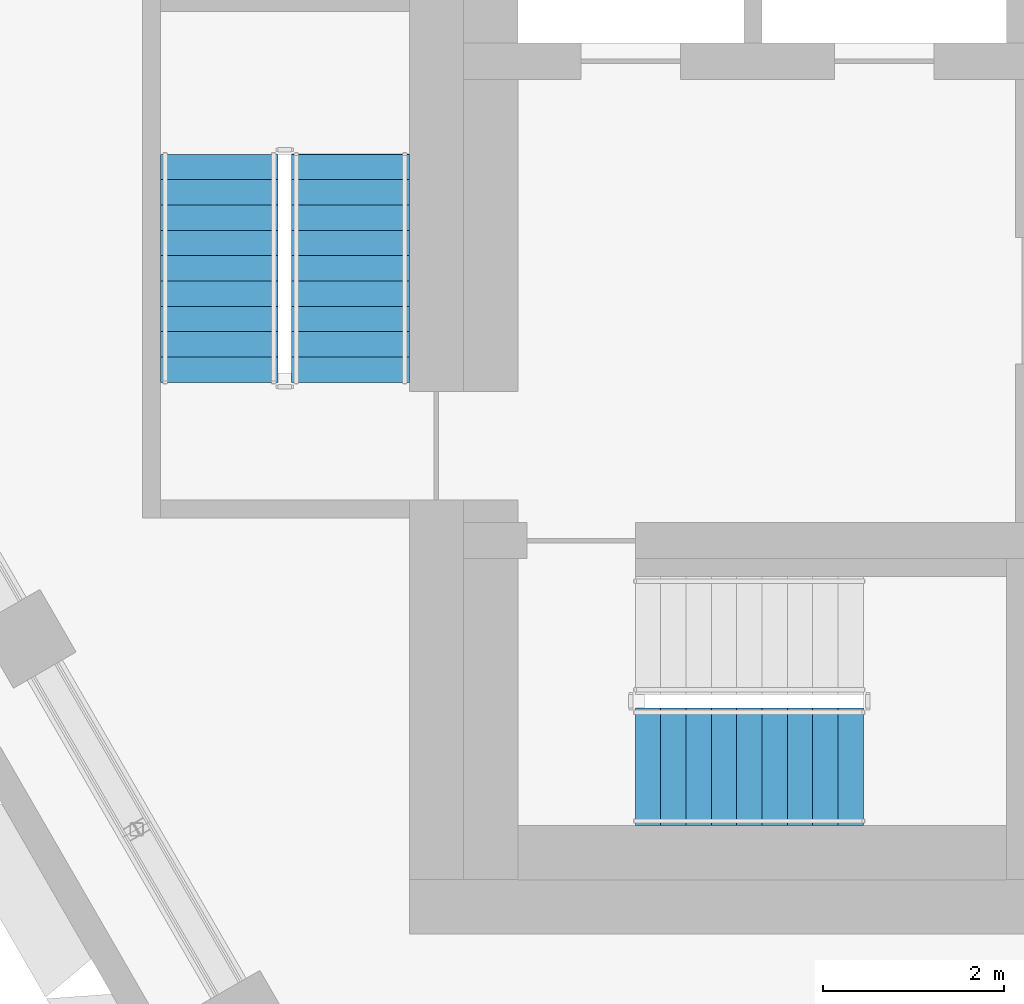
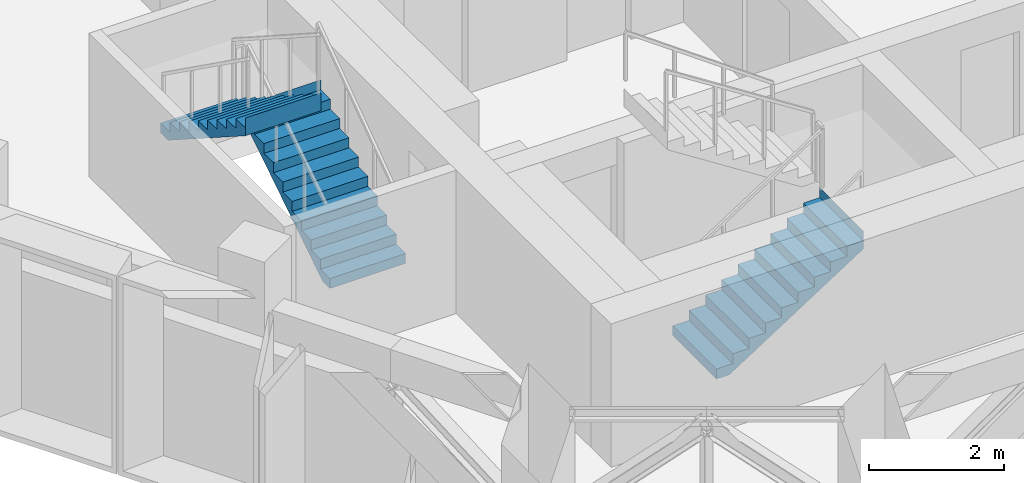
# One storey, part 17 of 24: 3 stair flights, 2 elements without a shape of their own.
"""IFC4 building model written with IfcOpenShell, lengths in metres."""

import ifcopenshell
import ifcopenshell.guid

model = None  # the IFC model being written
_history = None  # IfcOwnerHistory: only IFC2X3 demands one
_inside = {}  # id of a spatial element -> (the spatial element, [elements in it])
_under = {}  # id of a project, library or spatial element -> (it, [spatial elements below it])
_declared = {}  # id of a project -> (the project, [libraries it declares])
_typed = {}  # id of a type object -> (the type object, [elements of that type])
_made_of = {}  # id of a material, layer set ... -> (it, [elements and type objects made of it])


def new_model(schema):
    """Start an empty IFC model of exactly this schema.

    Asked for "IFC4X3", IfcOpenShell would pick the latest addendum, in which some entities
    have other attributes; the version numbers below select the first issue.
    IFC2X3 requires an IfcOwnerHistory on every rooted entity: one is made here for all.
    """
    global model, _history
    if schema == "IFC4X3":
        model = ifcopenshell.file(schema_version=(4, 3, 0, 0))
    else:
        model = ifcopenshell.file(schema=schema)
    _inside.clear()
    _under.clear()
    _declared.clear()
    _typed.clear()
    _made_of.clear()
    _history = None
    if model.schema == "IFC2X3":
        org = make("IfcOrganization", Name="unknown")
        user = make(
            "IfcPersonAndOrganization",
            ThePerson=make("IfcPerson", FamilyName="unknown"),
            TheOrganization=org,
        )
        app = make(
            "IfcApplication",
            ApplicationDeveloper=org,
            Version="unknown",
            ApplicationFullName="unknown",
            ApplicationIdentifier="unknown",
        )
        _history = make(
            "IfcOwnerHistory",
            OwningUser=user,
            OwningApplication=app,
            ChangeAction="ADDED",
            CreationDate=0,
        )
    return model


def make(cls, **values):
    """One entity of the class cls with the attributes given. An attribute that is None is left unset."""
    return model.create_entity(
        cls, **{name: value for name, value in values.items() if value is not None}
    )


def rooted(cls, **values):
    """An entity with a GlobalId (a new one), such as an element, a storey or a relation."""
    return make(cls, GlobalId=ifcopenshell.guid.new(), OwnerHistory=_history, **values)


def si_unit(unit_type, name, prefix=None):
    """IfcSIUnit, for example si_unit("LENGTHUNIT", "METRE", prefix="MILLI")."""
    return make("IfcSIUnit", UnitType=unit_type, Prefix=prefix, Name=name)


def assignment(units):
    """IfcUnitAssignment: the units of a project."""
    return None if units is None else make("IfcUnitAssignment", Units=units)


def point(xyz):
    """IfcCartesianPoint."""
    return None if xyz is None else make("IfcCartesianPoint", Coordinates=xyz)


def direction(xyz):
    """IfcDirection."""
    return None if xyz is None else make("IfcDirection", DirectionRatios=xyz)


def frame(location, z_axis=None, x_axis=None):
    """IfcAxis2Placement3D, a coordinate frame: its origin and axes. An axis left out is left unset."""
    return make(
        "IfcAxis2Placement3D",
        Location=point(location),
        Axis=direction(z_axis),
        RefDirection=direction(x_axis),
    )


def origin():
    """The frame at (0, 0, 0) with its axes left unset."""
    return frame((0.0, 0.0, 0.0))


def place(relative_to, where):
    """IfcLocalPlacement: puts the frame where relative to a parent placement (None: the world)."""
    return make(
        "IfcLocalPlacement", PlacementRelTo=relative_to, RelativePlacement=where
    )


def context(
    kind, dimensions, precision=None, world=None, true_north=None, identifier=None
):
    """IfcGeometricRepresentationContext, for example the 3D "Model" context."""
    return make(
        "IfcGeometricRepresentationContext",
        ContextIdentifier=identifier,
        ContextType=kind,
        CoordinateSpaceDimension=dimensions,
        Precision=precision,
        WorldCoordinateSystem=world,
        TrueNorth=true_north,
    )


def subcontext(parent, identifier, kind, view, scale=None):
    """IfcGeometricRepresentationSubContext, for example "Body" below "Model"."""
    return make(
        "IfcGeometricRepresentationSubContext",
        ContextIdentifier=identifier,
        ContextType=kind,
        ParentContext=parent,
        TargetScale=scale,
        TargetView=view,
    )


def project(units=None, contexts=None):
    """IfcProject with its units and contexts."""
    return rooted(
        "IfcProject",
        Name="project",
        RepresentationContexts=contexts,
        UnitsInContext=assignment(units),
    )


def spatial(cls, under=None, at=None, **own):
    """A site, building, storey or space (cls), placed at a placement, below another one or the project."""
    s = rooted(cls, ObjectPlacement=at, **own)
    if under is not None:
        _under.setdefault(under.id(), (under, []))[1].append(s)
    return s


def point_list(points):
    """IfcCartesianPointList2D or 3D."""
    cls = (
        "IfcCartesianPointList2D" if len(points[0]) == 2 else "IfcCartesianPointList3D"
    )
    return make(cls, CoordList=points)


def triangles(points, corners, closed=None, point_numbers=None):
    """IfcTriangulatedFaceSet: each triangle names its three corners, points numbered from 1."""
    return make(
        "IfcTriangulatedFaceSet",
        Coordinates=point_list(points),
        Closed=closed,
        CoordIndex=corners,
        PnIndex=point_numbers,
    )


def shape(context_of_items, identifier, shape_type, items):
    """IfcShapeRepresentation: the items that make up one representation, for example the "Body"."""
    return make(
        "IfcShapeRepresentation",
        ContextOfItems=context_of_items,
        RepresentationIdentifier=identifier,
        RepresentationType=shape_type,
        Items=items,
    )


def material(Name=None, Category=None):
    """IfcMaterial."""
    return make("IfcMaterial", Name=Name, Category=Category)


def made_of(thing, what):
    """Note that an element or type object is made of a material, layer set ...; save() writes the relation."""
    if what is not None:
        _made_of.setdefault(what.id(), (what, []))[1].append(thing)
    return thing


def type_object(cls, material=None, **own):
    """A type object (cls), such as IfcWallType, which elements share."""
    return made_of(rooted(cls, **own), material)


def element(
    cls,
    number,
    at=None,
    inside=None,
    cuts=None,
    type_object=None,
    material=None,
    context=None,
    identifier="Body",
    shape_type=None,
    held_by="IfcProductDefinitionShape",
    body=None,
    shapes=None,
    **own,
):
    """One element of the class cls, such as IfcWall. Its Tag is "e" and its number.

    at: its placement. inside: the storey or other place that contains it. cuts: it is an
    opening in that element (IfcRelVoidsElement). A single representation is given by context,
    identifier, shape_type and body (its items); several are given by shapes. held_by: the class
    of the entity that holds the representations. save() writes the other relations.
    """
    e = rooted(cls, Tag="e%d" % number, ObjectPlacement=at, **own)
    if body is not None:
        shapes = [shape(context, identifier, shape_type, body)]
    if shapes is not None:
        e.Representation = make(held_by, Representations=shapes)
    if inside is not None:
        _inside.setdefault(inside.id(), (inside, []))[1].append(e)
    if cuts is not None:
        rooted(
            "IfcRelVoidsElement", RelatingBuildingElement=cuts, RelatedOpeningElement=e
        )
    if type_object is not None:
        _typed.setdefault(type_object.id(), (type_object, []))[1].append(e)
    return made_of(e, material)


def aggregate(whole, parts):
    """IfcRelAggregates: a whole, such as a stair, and the parts it consists of."""
    return rooted("IfcRelAggregates", RelatingObject=whole, RelatedObjects=parts)


def save(model, path):
    """Write the relations noted so far, then the file.

    IfcRelAggregates (storeys below a building ...), IfcRelContainedInSpatialStructure (elements
    in a storey), IfcRelDefinesByType, IfcRelAssociatesMaterial and IfcRelDeclares: one each for
    every whole, place, type object, material and project.
    """
    for whole, parts in _under.values():
        aggregate(whole, parts)
    for where, things in _inside.values():
        rooted(
            "IfcRelContainedInSpatialStructure",
            RelatedElements=things,
            RelatingStructure=where,
        )
    for kind, things in _typed.values():
        rooted("IfcRelDefinesByType", RelatedObjects=things, RelatingType=kind)
    for what, things in _made_of.values():
        rooted("IfcRelAssociatesMaterial", RelatedObjects=things, RelatingMaterial=what)
    for by, libraries in _declared.values():
        rooted("IfcRelDeclares", RelatingContext=by, RelatedDefinitions=libraries)
    model.write(path)


model = new_model("IFC4")

# Units and contexts
model_context = context("Model", 3, precision=1e-05, world=origin(), true_north=direction((0.0, 1.0)))
body_context = subcontext(model_context, "Body", "Model", "MODEL_VIEW")
ifc_project = project(units=[si_unit("LENGTHUNIT", "METRE"), si_unit("AREAUNIT", "SQUARE_METRE"), si_unit("VOLUMEUNIT", "CUBIC_METRE"), si_unit("PLANEANGLEUNIT", "RADIAN"), si_unit("MASSUNIT", "GRAM", prefix="KILO")], contexts=[model_context])

# Site, building, storey
site_placement = place(None, origin())
site = spatial("IfcSite", under=ifc_project, at=site_placement, CompositionType="ELEMENT")
building_placement = place(site_placement, origin())
building = spatial("IfcBuilding", under=site, at=building_placement, Name="Beryl Residences", CompositionType="ELEMENT")
storey_placement = place(building_placement, frame((0.0, 0.0, 199.199951171875)))
storey = spatial("IfcBuildingStorey", under=building, at=storey_placement, Name="L61", CompositionType="ELEMENT", Elevation=199.199951171875)

# Stair, stair flight
ifc_material_1 = material(Name="Concrete C40/50", Category="concrete")
stair_type = type_object("IfcStairType", Name="ST1 protected exit stair, half-turn, 1300 mm flights", PredefinedType="HALF_TURN_STAIR", material=ifc_material_1)
stair_1_placement = place(storey_placement, origin())
stair_1 = element("IfcStair", 1, at=stair_1_placement, inside=storey, type_object=stair_type, Name="L61 PROTECTED EXIT STAIR ST-1", PredefinedType="HALF_TURN_STAIR")
ifc_material_2 = material(Name="Concrete C40/50", Category="concrete")
stair_flight_type = type_object("IfcStairFlightType", Name="SF1 stair flight 1300 mm", PredefinedType="STRAIGHT", material=ifc_material_2)
stair_flight_1_placement = place(storey_placement, frame((-10.800048828125, -17.14990234375, 0.0), z_axis=(0.0, 0.0, 1.0), x_axis=(1.0, 0.0, 0.0)))
stair_flight_1 = element("IfcStairFlight", 2, at=stair_flight_1_placement, type_object=stair_flight_type, Name="ST-1 flight 1", NumberOfRisers=10, NumberOfTreads=9, PredefinedType="STRAIGHT", RiserHeight=0.18, TreadLength=0.28, context=body_context, shape_type="Tessellation", body=[
    triangles([(0.0, -0.64990234375, 0.0), (0.0, -0.324951171875, 0.0), (0.0, 0.0, 0.0), (0.0, 0.324951171875, 0.0), (0.0, 0.64990234375, 0.0), (0.0, -0.64990234375, 0.179931640625), (0.0, -0.324951171875, 0.179931640625), (0.0, 0.0, 0.179931640625), (0.0, 0.324951171875, 0.179931640625), (0.0, 0.64990234375, 0.179931640625), (0.280029296875, -0.64990234375, 0.179931640625), (0.280029296875, -0.324951171875, 0.179931640625), (0.280029296875, 0.0, 0.179931640625), (0.280029296875, 0.324951171875, 0.179931640625), (0.280029296875, 0.64990234375, 0.179931640625), (0.280029296875, -0.64990234375, 0.360107421875), (0.280029296875, -0.324951171875, 0.360107421875), (0.280029296875, 0.0, 0.360107421875), (0.280029296875, 0.324951171875, 0.360107421875), (0.280029296875, 0.64990234375, 0.360107421875), (0.56005859375, -0.64990234375, 0.360107421875), (0.56005859375, -0.324951171875, 0.360107421875), (0.56005859375, 0.0, 0.360107421875), (0.56005859375, 0.324951171875, 0.360107421875), (0.56005859375, 0.64990234375, 0.360107421875), (0.56005859375, -0.64990234375, 0.5400390625), (0.56005859375, -0.324951171875, 0.5400390625), (0.56005859375, 0.0, 0.5400390625), (0.56005859375, 0.324951171875, 0.5400390625), (0.56005859375, 0.64990234375, 0.5400390625), (0.840087890625, -0.64990234375, 0.5400390625), (0.840087890625, -0.324951171875, 0.5400390625), (0.840087890625, 0.0, 0.5400390625), (0.840087890625, 0.324951171875, 0.5400390625), (0.840087890625, 0.64990234375, 0.5400390625), (0.840087890625, -0.64990234375, 0.719970703125), (0.840087890625, -0.324951171875, 0.719970703125), (0.840087890625, 0.0, 0.719970703125), (0.840087890625, 0.324951171875, 0.719970703125), (0.840087890625, 0.64990234375, 0.719970703125), (1.1201171875, -0.64990234375, 0.719970703125), (1.1201171875, -0.324951171875, 0.719970703125), (1.1201171875, 0.0, 0.719970703125), (1.1201171875, 0.324951171875, 0.719970703125), (1.1201171875, 0.64990234375, 0.719970703125), (1.1201171875, -0.64990234375, 0.89990234375), (1.1201171875, -0.324951171875, 0.89990234375), (1.1201171875, 0.0, 0.89990234375), (1.1201171875, 0.324951171875, 0.89990234375), (1.1201171875, 0.64990234375, 0.89990234375), (1.39990234375, -0.64990234375, 0.89990234375), (1.39990234375, -0.324951171875, 0.89990234375), (1.39990234375, 0.0, 0.89990234375), (1.39990234375, 0.324951171875, 0.89990234375), (1.39990234375, 0.64990234375, 0.89990234375), (1.39990234375, -0.64990234375, 1.080078125), (1.39990234375, -0.324951171875, 1.080078125), (1.39990234375, 0.0, 1.080078125), (1.39990234375, 0.324951171875, 1.080078125), (1.39990234375, 0.64990234375, 1.080078125), (1.679931640625, -0.64990234375, 1.080078125), (1.679931640625, -0.324951171875, 1.080078125), (1.679931640625, 0.0, 1.080078125), (1.679931640625, 0.324951171875, 1.080078125), (1.679931640625, 0.64990234375, 1.080078125), (1.679931640625, -0.64990234375, 1.260009765625), (1.679931640625, -0.324951171875, 1.260009765625), (1.679931640625, 0.0, 1.260009765625), (1.679931640625, 0.324951171875, 1.260009765625), (1.679931640625, 0.64990234375, 1.260009765625), (1.9599609375, -0.64990234375, 1.260009765625), (1.9599609375, -0.324951171875, 1.260009765625), (1.9599609375, 0.0, 1.260009765625), (1.9599609375, 0.324951171875, 1.260009765625), (1.9599609375, 0.64990234375, 1.260009765625), (1.9599609375, -0.64990234375, 1.43994140625), (1.9599609375, -0.324951171875, 1.43994140625), (1.9599609375, 0.0, 1.43994140625), (1.9599609375, 0.324951171875, 1.43994140625), (1.9599609375, 0.64990234375, 1.43994140625), (2.239990234375, -0.64990234375, 1.43994140625), (2.239990234375, -0.324951171875, 1.43994140625), (2.239990234375, 0.0, 1.43994140625), (2.239990234375, 0.324951171875, 1.43994140625), (2.239990234375, 0.64990234375, 1.43994140625), (2.239990234375, -0.64990234375, 1.6201171875), (2.239990234375, -0.324951171875, 1.6201171875), (2.239990234375, 0.0, 1.6201171875), (2.239990234375, 0.324951171875, 1.6201171875), (2.239990234375, 0.64990234375, 1.6201171875), (2.52001953125, -0.64990234375, 1.6201171875), (2.52001953125, -0.324951171875, 1.6201171875), (2.52001953125, 0.0, 1.6201171875), (2.52001953125, 0.324951171875, 1.6201171875), (2.52001953125, 0.64990234375, 1.6201171875), (2.52001953125, -0.64990234375, 1.800048828125), (2.52001953125, -0.324951171875, 1.800048828125), (2.52001953125, 0.0, 1.800048828125), (2.52001953125, 0.324951171875, 1.800048828125), (2.52001953125, 0.64990234375, 1.800048828125), (2.52099609375, -0.64990234375, 1.800048828125), (2.52099609375, -0.324951171875, 1.800048828125), (2.52099609375, 0.0, 1.800048828125), (2.52099609375, 0.324951171875, 1.800048828125), (2.52099609375, 0.64990234375, 1.800048828125), (2.52099609375, -0.64990234375, 1.477294921875), (2.52099609375, -0.324951171875, 1.477294921875), (2.52099609375, 0.0, 1.477294921875), (2.52099609375, 0.324951171875, 1.477294921875), (2.52099609375, 0.64990234375, 1.477294921875), (0.22314453125, -0.64990234375, 0.0), (0.22314453125, -0.324951171875, 0.0), (0.22314453125, 0.0, 0.0), (0.22314453125, 0.324951171875, 0.0), (0.22314453125, 0.64990234375, 0.0)], [[1, 6, 7], [1, 7, 2], [2, 7, 8], [2, 8, 3], [3, 8, 9], [3, 9, 4], [4, 9, 10], [4, 10, 5], [6, 11, 12], [6, 12, 7], [7, 12, 13], [7, 13, 8], [8, 13, 14], [8, 14, 9], [9, 14, 15], [9, 15, 10], [11, 16, 17], [11, 17, 12], [12, 17, 18], [12, 18, 13], [13, 18, 19], [13, 19, 14], [14, 19, 20], [14, 20, 15], [16, 21, 22], [16, 22, 17], [17, 22, 23], [17, 23, 18], [18, 23, 24], [18, 24, 19], [19, 24, 25], [19, 25, 20], [21, 26, 27], [21, 27, 22], [22, 27, 28], [22, 28, 23], [23, 28, 29], [23, 29, 24], [24, 29, 30], [24, 30, 25], [26, 31, 32], [26, 32, 27], [27, 32, 33], [27, 33, 28], [28, 33, 34], [28, 34, 29], [29, 34, 35], [29, 35, 30], [31, 36, 37], [31, 37, 32], [32, 37, 38], [32, 38, 33], [33, 38, 39], [33, 39, 34], [34, 39, 40], [34, 40, 35], [36, 41, 42], [36, 42, 37], [37, 42, 43], [37, 43, 38], [38, 43, 44], [38, 44, 39], [39, 44, 45], [39, 45, 40], [41, 46, 47], [41, 47, 42], [42, 47, 48], [42, 48, 43], [43, 48, 49], [43, 49, 44], [44, 49, 50], [44, 50, 45], [46, 51, 52], [46, 52, 47], [47, 52, 53], [47, 53, 48], [48, 53, 54], [48, 54, 49], [49, 54, 55], [49, 55, 50], [51, 56, 57], [51, 57, 52], [52, 57, 58], [52, 58, 53], [53, 58, 59], [53, 59, 54], [54, 59, 60], [54, 60, 55], [56, 61, 62], [56, 62, 57], [57, 62, 63], [57, 63, 58], [58, 63, 64], [58, 64, 59], [59, 64, 65], [59, 65, 60], [61, 66, 67], [61, 67, 62], [62, 67, 68], [62, 68, 63], [63, 68, 69], [63, 69, 64], [64, 69, 70], [64, 70, 65], [66, 71, 72], [66, 72, 67], [67, 72, 73], [67, 73, 68], [68, 73, 74], [68, 74, 69], [69, 74, 75], [69, 75, 70], [71, 76, 77], [71, 77, 72], [72, 77, 78], [72, 78, 73], [73, 78, 79], [73, 79, 74], [74, 79, 80], [74, 80, 75], [76, 81, 82], [76, 82, 77], [77, 82, 83], [77, 83, 78], [78, 83, 84], [78, 84, 79], [79, 84, 85], [79, 85, 80], [81, 86, 87], [81, 87, 82], [82, 87, 88], [82, 88, 83], [83, 88, 89], [83, 89, 84], [84, 89, 90], [84, 90, 85], [86, 91, 92], [86, 92, 87], [87, 92, 93], [87, 93, 88], [88, 93, 94], [88, 94, 89], [89, 94, 95], [89, 95, 90], [91, 96, 97], [91, 97, 92], [92, 97, 98], [92, 98, 93], [93, 98, 99], [93, 99, 94], [94, 99, 100], [94, 100, 95], [96, 101, 102], [96, 102, 97], [97, 102, 103], [97, 103, 98], [98, 103, 104], [98, 104, 99], [99, 104, 105], [99, 105, 100], [101, 106, 107], [101, 107, 102], [102, 107, 108], [102, 108, 103], [103, 108, 109], [103, 109, 104], [104, 109, 110], [104, 110, 105], [106, 111, 112], [106, 112, 107], [107, 112, 113], [107, 113, 108], [108, 113, 114], [108, 114, 109], [109, 114, 115], [109, 115, 110], [111, 1, 2], [111, 2, 112], [112, 2, 3], [112, 3, 113], [113, 3, 4], [113, 4, 114], [114, 4, 5], [114, 5, 115], [1, 111, 106], [5, 110, 115], [106, 101, 96], [110, 100, 105], [106, 96, 91], [110, 95, 100], [106, 91, 86], [110, 90, 95], [106, 86, 81], [110, 85, 90], [81, 76, 71], [85, 75, 80], [106, 81, 71], [110, 75, 85], [71, 66, 61], [75, 65, 70], [106, 71, 61], [110, 65, 75], [61, 56, 51], [65, 55, 60], [106, 61, 51], [110, 55, 65], [51, 46, 41], [55, 45, 50], [106, 51, 41], [110, 45, 55], [41, 36, 31], [45, 35, 40], [106, 41, 31], [110, 35, 45], [31, 26, 21], [35, 25, 30], [106, 31, 21], [110, 25, 35], [21, 16, 11], [25, 15, 20], [106, 21, 11], [110, 15, 25], [1, 106, 11], [5, 15, 110], [11, 6, 1], [15, 5, 10]], closed=True),
])
aggregate(stair_1, [stair_flight_1])

# Stair, stair flights
stair_2_placement = place(storey_placement, origin())
stair_2 = element("IfcStair", 3, at=stair_2_placement, inside=storey, type_object=stair_type, Name="L61 PROTECTED EXIT STAIR ST-2", PredefinedType="HALF_TURN_STAIR")
stair_flight_2_placement = place(storey_placement, frame((-13.949951171875, -12.89990234375, 0.0), z_axis=(0.0, 0.0, 1.0), x_axis=(0.0, 1.0, 0.0)))
stair_flight_2 = element("IfcStairFlight", 4, at=stair_flight_2_placement, type_object=stair_flight_type, Name="ST-2 flight 1", NumberOfRisers=10, NumberOfTreads=9, PredefinedType="STRAIGHT", RiserHeight=0.18, TreadLength=0.28, context=body_context, shape_type="Tessellation", body=[
    triangles([(0.0, -0.64990234375, 0.0), (0.0, -0.324951171875, 0.0), (0.0, 0.0, 0.0), (0.0, 0.324951171875, 0.0), (0.0, 0.64990234375, 0.0), (0.0, -0.64990234375, 0.179931640625), (0.0, -0.324951171875, 0.179931640625), (0.0, 0.0, 0.179931640625), (0.0, 0.324951171875, 0.179931640625), (0.0, 0.64990234375, 0.179931640625), (0.280029296875, -0.64990234375, 0.179931640625), (0.280029296875, -0.324951171875, 0.179931640625), (0.280029296875, 0.0, 0.179931640625), (0.280029296875, 0.324951171875, 0.179931640625), (0.280029296875, 0.64990234375, 0.179931640625), (0.280029296875, -0.64990234375, 0.360107421875), (0.280029296875, -0.324951171875, 0.360107421875), (0.280029296875, 0.0, 0.360107421875), (0.280029296875, 0.324951171875, 0.360107421875), (0.280029296875, 0.64990234375, 0.360107421875), (0.56005859375, -0.64990234375, 0.360107421875), (0.56005859375, -0.324951171875, 0.360107421875), (0.56005859375, 0.0, 0.360107421875), (0.56005859375, 0.324951171875, 0.360107421875), (0.56005859375, 0.64990234375, 0.360107421875), (0.56005859375, -0.64990234375, 0.5400390625), (0.56005859375, -0.324951171875, 0.5400390625), (0.56005859375, 0.0, 0.5400390625), (0.56005859375, 0.324951171875, 0.5400390625), (0.56005859375, 0.64990234375, 0.5400390625), (0.840087890625, -0.64990234375, 0.5400390625), (0.840087890625, -0.324951171875, 0.5400390625), (0.840087890625, 0.0, 0.5400390625), (0.840087890625, 0.324951171875, 0.5400390625), (0.840087890625, 0.64990234375, 0.5400390625), (0.840087890625, -0.64990234375, 0.719970703125), (0.840087890625, -0.324951171875, 0.719970703125), (0.840087890625, 0.0, 0.719970703125), (0.840087890625, 0.324951171875, 0.719970703125), (0.840087890625, 0.64990234375, 0.719970703125), (1.1201171875, -0.64990234375, 0.719970703125), (1.1201171875, -0.324951171875, 0.719970703125), (1.1201171875, 0.0, 0.719970703125), (1.1201171875, 0.324951171875, 0.719970703125), (1.1201171875, 0.64990234375, 0.719970703125), (1.1201171875, -0.64990234375, 0.89990234375), (1.1201171875, -0.324951171875, 0.89990234375), (1.1201171875, 0.0, 0.89990234375), (1.1201171875, 0.324951171875, 0.89990234375), (1.1201171875, 0.64990234375, 0.89990234375), (1.39990234375, -0.64990234375, 0.89990234375), (1.39990234375, -0.324951171875, 0.89990234375), (1.39990234375, 0.0, 0.89990234375), (1.39990234375, 0.324951171875, 0.89990234375), (1.39990234375, 0.64990234375, 0.89990234375), (1.39990234375, -0.64990234375, 1.080078125), (1.39990234375, -0.324951171875, 1.080078125), (1.39990234375, 0.0, 1.080078125), (1.39990234375, 0.324951171875, 1.080078125), (1.39990234375, 0.64990234375, 1.080078125), (1.679931640625, -0.64990234375, 1.080078125), (1.679931640625, -0.324951171875, 1.080078125), (1.679931640625, 0.0, 1.080078125), (1.679931640625, 0.324951171875, 1.080078125), (1.679931640625, 0.64990234375, 1.080078125), (1.679931640625, -0.64990234375, 1.260009765625), (1.679931640625, -0.324951171875, 1.260009765625), (1.679931640625, 0.0, 1.260009765625), (1.679931640625, 0.324951171875, 1.260009765625), (1.679931640625, 0.64990234375, 1.260009765625), (1.9599609375, -0.64990234375, 1.260009765625), (1.9599609375, -0.324951171875, 1.260009765625), (1.9599609375, 0.0, 1.260009765625), (1.9599609375, 0.324951171875, 1.260009765625), (1.9599609375, 0.64990234375, 1.260009765625), (1.9599609375, -0.64990234375, 1.43994140625), (1.9599609375, -0.324951171875, 1.43994140625), (1.9599609375, 0.0, 1.43994140625), (1.9599609375, 0.324951171875, 1.43994140625), (1.9599609375, 0.64990234375, 1.43994140625), (2.239990234375, -0.64990234375, 1.43994140625), (2.239990234375, -0.324951171875, 1.43994140625), (2.239990234375, 0.0, 1.43994140625), (2.239990234375, 0.324951171875, 1.43994140625), (2.239990234375, 0.64990234375, 1.43994140625), (2.239990234375, -0.64990234375, 1.6201171875), (2.239990234375, -0.324951171875, 1.6201171875), (2.239990234375, 0.0, 1.6201171875), (2.239990234375, 0.324951171875, 1.6201171875), (2.239990234375, 0.64990234375, 1.6201171875), (2.52001953125, -0.64990234375, 1.6201171875), (2.52001953125, -0.324951171875, 1.6201171875), (2.52001953125, 0.0, 1.6201171875), (2.52001953125, 0.324951171875, 1.6201171875), (2.52001953125, 0.64990234375, 1.6201171875), (2.52001953125, -0.64990234375, 1.800048828125), (2.52001953125, -0.324951171875, 1.800048828125), (2.52001953125, 0.0, 1.800048828125), (2.52001953125, 0.324951171875, 1.800048828125), (2.52001953125, 0.64990234375, 1.800048828125), (2.52099609375, -0.64990234375, 1.800048828125), (2.52099609375, -0.324951171875, 1.800048828125), (2.52099609375, 0.0, 1.800048828125), (2.52099609375, 0.324951171875, 1.800048828125), (2.52099609375, 0.64990234375, 1.800048828125), (2.52099609375, -0.64990234375, 1.477294921875), (2.52099609375, -0.324951171875, 1.477294921875), (2.52099609375, 0.0, 1.477294921875), (2.52099609375, 0.324951171875, 1.477294921875), (2.52099609375, 0.64990234375, 1.477294921875), (0.22314453125, -0.64990234375, 0.0), (0.22314453125, -0.324951171875, 0.0), (0.22314453125, 0.0, 0.0), (0.22314453125, 0.324951171875, 0.0), (0.22314453125, 0.64990234375, 0.0)], [[1, 6, 7], [1, 7, 2], [2, 7, 8], [2, 8, 3], [3, 8, 9], [3, 9, 4], [4, 9, 10], [4, 10, 5], [6, 11, 12], [6, 12, 7], [7, 12, 13], [7, 13, 8], [8, 13, 14], [8, 14, 9], [9, 14, 15], [9, 15, 10], [11, 16, 17], [11, 17, 12], [12, 17, 18], [12, 18, 13], [13, 18, 19], [13, 19, 14], [14, 19, 20], [14, 20, 15], [16, 21, 22], [16, 22, 17], [17, 22, 23], [17, 23, 18], [18, 23, 24], [18, 24, 19], [19, 24, 25], [19, 25, 20], [21, 26, 27], [21, 27, 22], [22, 27, 28], [22, 28, 23], [23, 28, 29], [23, 29, 24], [24, 29, 30], [24, 30, 25], [26, 31, 32], [26, 32, 27], [27, 32, 33], [27, 33, 28], [28, 33, 34], [28, 34, 29], [29, 34, 35], [29, 35, 30], [31, 36, 37], [31, 37, 32], [32, 37, 38], [32, 38, 33], [33, 38, 39], [33, 39, 34], [34, 39, 40], [34, 40, 35], [36, 41, 42], [36, 42, 37], [37, 42, 43], [37, 43, 38], [38, 43, 44], [38, 44, 39], [39, 44, 45], [39, 45, 40], [41, 46, 47], [41, 47, 42], [42, 47, 48], [42, 48, 43], [43, 48, 49], [43, 49, 44], [44, 49, 50], [44, 50, 45], [46, 51, 52], [46, 52, 47], [47, 52, 53], [47, 53, 48], [48, 53, 54], [48, 54, 49], [49, 54, 55], [49, 55, 50], [51, 56, 57], [51, 57, 52], [52, 57, 58], [52, 58, 53], [53, 58, 59], [53, 59, 54], [54, 59, 60], [54, 60, 55], [56, 61, 62], [56, 62, 57], [57, 62, 63], [57, 63, 58], [58, 63, 64], [58, 64, 59], [59, 64, 65], [59, 65, 60], [61, 66, 67], [61, 67, 62], [62, 67, 68], [62, 68, 63], [63, 68, 69], [63, 69, 64], [64, 69, 70], [64, 70, 65], [66, 71, 72], [66, 72, 67], [67, 72, 73], [67, 73, 68], [68, 73, 74], [68, 74, 69], [69, 74, 75], [69, 75, 70], [71, 76, 77], [71, 77, 72], [72, 77, 78], [72, 78, 73], [73, 78, 79], [73, 79, 74], [74, 79, 80], [74, 80, 75], [76, 81, 82], [76, 82, 77], [77, 82, 83], [77, 83, 78], [78, 83, 84], [78, 84, 79], [79, 84, 85], [79, 85, 80], [81, 86, 87], [81, 87, 82], [82, 87, 88], [82, 88, 83], [83, 88, 89], [83, 89, 84], [84, 89, 90], [84, 90, 85], [86, 91, 92], [86, 92, 87], [87, 92, 93], [87, 93, 88], [88, 93, 94], [88, 94, 89], [89, 94, 95], [89, 95, 90], [91, 96, 97], [91, 97, 92], [92, 97, 98], [92, 98, 93], [93, 98, 99], [93, 99, 94], [94, 99, 100], [94, 100, 95], [96, 101, 102], [96, 102, 97], [97, 102, 103], [97, 103, 98], [98, 103, 104], [98, 104, 99], [99, 104, 105], [99, 105, 100], [101, 106, 107], [101, 107, 102], [102, 107, 108], [102, 108, 103], [103, 108, 109], [103, 109, 104], [104, 109, 110], [104, 110, 105], [106, 111, 112], [106, 112, 107], [107, 112, 113], [107, 113, 108], [108, 113, 114], [108, 114, 109], [109, 114, 115], [109, 115, 110], [111, 1, 2], [111, 2, 112], [112, 2, 3], [112, 3, 113], [113, 3, 4], [113, 4, 114], [114, 4, 5], [114, 5, 115], [1, 111, 106], [5, 110, 115], [106, 101, 96], [110, 100, 105], [106, 96, 91], [110, 95, 100], [106, 91, 86], [110, 90, 95], [106, 86, 81], [110, 85, 90], [81, 76, 71], [85, 75, 80], [106, 81, 71], [110, 75, 85], [71, 66, 61], [75, 65, 70], [106, 71, 61], [110, 65, 75], [61, 56, 51], [65, 55, 60], [106, 61, 51], [110, 55, 65], [51, 46, 41], [55, 45, 50], [106, 51, 41], [110, 45, 55], [41, 36, 31], [45, 35, 40], [106, 41, 31], [110, 35, 45], [31, 26, 21], [35, 25, 30], [106, 31, 21], [110, 25, 35], [21, 16, 11], [25, 15, 20], [106, 21, 11], [110, 15, 25], [1, 106, 11], [5, 15, 110], [11, 6, 1], [15, 5, 10]], closed=True),
])
stair_flight_3_placement = place(storey_placement, frame((-15.39990234375, -10.3798828125, 1.800048828125), z_axis=(0.0, 0.0, 1.0), x_axis=(0.0, -1.0, 0.0)))
stair_flight_3 = element("IfcStairFlight", 5, at=stair_flight_3_placement, type_object=stair_flight_type, Name="ST-2 flight 2", NumberOfRisers=10, NumberOfTreads=9, PredefinedType="STRAIGHT", RiserHeight=0.18, TreadLength=0.28, context=body_context, shape_type="Tessellation", body=[
    triangles([(0.0, -0.64990234375, 0.0), (0.0, -0.324951171875, 0.0), (0.0, 0.0, 0.0), (0.0, 0.324951171875, 0.0), (0.0, 0.64990234375, 0.0), (0.0, -0.64990234375, 0.179931640625), (0.0, -0.324951171875, 0.179931640625), (0.0, 0.0, 0.179931640625), (0.0, 0.324951171875, 0.179931640625), (0.0, 0.64990234375, 0.179931640625), (0.280029296875, -0.64990234375, 0.179931640625), (0.280029296875, -0.324951171875, 0.179931640625), (0.280029296875, 0.0, 0.179931640625), (0.280029296875, 0.324951171875, 0.179931640625), (0.280029296875, 0.64990234375, 0.179931640625), (0.280029296875, -0.64990234375, 0.360107421875), (0.280029296875, -0.324951171875, 0.360107421875), (0.280029296875, 0.0, 0.360107421875), (0.280029296875, 0.324951171875, 0.360107421875), (0.280029296875, 0.64990234375, 0.360107421875), (0.56005859375, -0.64990234375, 0.360107421875), (0.56005859375, -0.324951171875, 0.360107421875), (0.56005859375, 0.0, 0.360107421875), (0.56005859375, 0.324951171875, 0.360107421875), (0.56005859375, 0.64990234375, 0.360107421875), (0.56005859375, -0.64990234375, 0.5400390625), (0.56005859375, -0.324951171875, 0.5400390625), (0.56005859375, 0.0, 0.5400390625), (0.56005859375, 0.324951171875, 0.5400390625), (0.56005859375, 0.64990234375, 0.5400390625), (0.840087890625, -0.64990234375, 0.5400390625), (0.840087890625, -0.324951171875, 0.5400390625), (0.840087890625, 0.0, 0.5400390625), (0.840087890625, 0.324951171875, 0.5400390625), (0.840087890625, 0.64990234375, 0.5400390625), (0.840087890625, -0.64990234375, 0.719970703125), (0.840087890625, -0.324951171875, 0.719970703125), (0.840087890625, 0.0, 0.719970703125), (0.840087890625, 0.324951171875, 0.719970703125), (0.840087890625, 0.64990234375, 0.719970703125), (1.1201171875, -0.64990234375, 0.719970703125), (1.1201171875, -0.324951171875, 0.719970703125), (1.1201171875, 0.0, 0.719970703125), (1.1201171875, 0.324951171875, 0.719970703125), (1.1201171875, 0.64990234375, 0.719970703125), (1.1201171875, -0.64990234375, 0.89990234375), (1.1201171875, -0.324951171875, 0.89990234375), (1.1201171875, 0.0, 0.89990234375), (1.1201171875, 0.324951171875, 0.89990234375), (1.1201171875, 0.64990234375, 0.89990234375), (1.39990234375, -0.64990234375, 0.89990234375), (1.39990234375, -0.324951171875, 0.89990234375), (1.39990234375, 0.0, 0.89990234375), (1.39990234375, 0.324951171875, 0.89990234375), (1.39990234375, 0.64990234375, 0.89990234375), (1.39990234375, -0.64990234375, 1.080078125), (1.39990234375, -0.324951171875, 1.080078125), (1.39990234375, 0.0, 1.080078125), (1.39990234375, 0.324951171875, 1.080078125), (1.39990234375, 0.64990234375, 1.080078125), (1.679931640625, -0.64990234375, 1.080078125), (1.679931640625, -0.324951171875, 1.080078125), (1.679931640625, 0.0, 1.080078125), (1.679931640625, 0.324951171875, 1.080078125), (1.679931640625, 0.64990234375, 1.080078125), (1.679931640625, -0.64990234375, 1.260009765625), (1.679931640625, -0.324951171875, 1.260009765625), (1.679931640625, 0.0, 1.260009765625), (1.679931640625, 0.324951171875, 1.260009765625), (1.679931640625, 0.64990234375, 1.260009765625), (1.9599609375, -0.64990234375, 1.260009765625), (1.9599609375, -0.324951171875, 1.260009765625), (1.9599609375, 0.0, 1.260009765625), (1.9599609375, 0.324951171875, 1.260009765625), (1.9599609375, 0.64990234375, 1.260009765625), (1.9599609375, -0.64990234375, 1.43994140625), (1.9599609375, -0.324951171875, 1.43994140625), (1.9599609375, 0.0, 1.43994140625), (1.9599609375, 0.324951171875, 1.43994140625), (1.9599609375, 0.64990234375, 1.43994140625), (2.239990234375, -0.64990234375, 1.43994140625), (2.239990234375, -0.324951171875, 1.43994140625), (2.239990234375, 0.0, 1.43994140625), (2.239990234375, 0.324951171875, 1.43994140625), (2.239990234375, 0.64990234375, 1.43994140625), (2.239990234375, -0.64990234375, 1.6201171875), (2.239990234375, -0.324951171875, 1.6201171875), (2.239990234375, 0.0, 1.6201171875), (2.239990234375, 0.324951171875, 1.6201171875), (2.239990234375, 0.64990234375, 1.6201171875), (2.52001953125, -0.64990234375, 1.6201171875), (2.52001953125, -0.324951171875, 1.6201171875), (2.52001953125, 0.0, 1.6201171875), (2.52001953125, 0.324951171875, 1.6201171875), (2.52001953125, 0.64990234375, 1.6201171875), (2.52001953125, -0.64990234375, 1.800048828125), (2.52001953125, -0.324951171875, 1.800048828125), (2.52001953125, 0.0, 1.800048828125), (2.52001953125, 0.324951171875, 1.800048828125), (2.52001953125, 0.64990234375, 1.800048828125), (2.52099609375, -0.64990234375, 1.800048828125), (2.52099609375, -0.324951171875, 1.800048828125), (2.52099609375, 0.0, 1.800048828125), (2.52099609375, 0.324951171875, 1.800048828125), (2.52099609375, 0.64990234375, 1.800048828125), (2.52099609375, -0.64990234375, 1.477294921875), (2.52099609375, -0.324951171875, 1.477294921875), (2.52099609375, 0.0, 1.477294921875), (2.52099609375, 0.324951171875, 1.477294921875), (2.52099609375, 0.64990234375, 1.477294921875), (0.22314453125, -0.64990234375, 0.0), (0.22314453125, -0.324951171875, 0.0), (0.22314453125, 0.0, 0.0), (0.22314453125, 0.324951171875, 0.0), (0.22314453125, 0.64990234375, 0.0)], [[1, 6, 7], [1, 7, 2], [2, 7, 8], [2, 8, 3], [3, 8, 9], [3, 9, 4], [4, 9, 10], [4, 10, 5], [6, 11, 12], [6, 12, 7], [7, 12, 13], [7, 13, 8], [8, 13, 14], [8, 14, 9], [9, 14, 15], [9, 15, 10], [11, 16, 17], [11, 17, 12], [12, 17, 18], [12, 18, 13], [13, 18, 19], [13, 19, 14], [14, 19, 20], [14, 20, 15], [16, 21, 22], [16, 22, 17], [17, 22, 23], [17, 23, 18], [18, 23, 24], [18, 24, 19], [19, 24, 25], [19, 25, 20], [21, 26, 27], [21, 27, 22], [22, 27, 28], [22, 28, 23], [23, 28, 29], [23, 29, 24], [24, 29, 30], [24, 30, 25], [26, 31, 32], [26, 32, 27], [27, 32, 33], [27, 33, 28], [28, 33, 34], [28, 34, 29], [29, 34, 35], [29, 35, 30], [31, 36, 37], [31, 37, 32], [32, 37, 38], [32, 38, 33], [33, 38, 39], [33, 39, 34], [34, 39, 40], [34, 40, 35], [36, 41, 42], [36, 42, 37], [37, 42, 43], [37, 43, 38], [38, 43, 44], [38, 44, 39], [39, 44, 45], [39, 45, 40], [41, 46, 47], [41, 47, 42], [42, 47, 48], [42, 48, 43], [43, 48, 49], [43, 49, 44], [44, 49, 50], [44, 50, 45], [46, 51, 52], [46, 52, 47], [47, 52, 53], [47, 53, 48], [48, 53, 54], [48, 54, 49], [49, 54, 55], [49, 55, 50], [51, 56, 57], [51, 57, 52], [52, 57, 58], [52, 58, 53], [53, 58, 59], [53, 59, 54], [54, 59, 60], [54, 60, 55], [56, 61, 62], [56, 62, 57], [57, 62, 63], [57, 63, 58], [58, 63, 64], [58, 64, 59], [59, 64, 65], [59, 65, 60], [61, 66, 67], [61, 67, 62], [62, 67, 68], [62, 68, 63], [63, 68, 69], [63, 69, 64], [64, 69, 70], [64, 70, 65], [66, 71, 72], [66, 72, 67], [67, 72, 73], [67, 73, 68], [68, 73, 74], [68, 74, 69], [69, 74, 75], [69, 75, 70], [71, 76, 77], [71, 77, 72], [72, 77, 78], [72, 78, 73], [73, 78, 79], [73, 79, 74], [74, 79, 80], [74, 80, 75], [76, 81, 82], [76, 82, 77], [77, 82, 83], [77, 83, 78], [78, 83, 84], [78, 84, 79], [79, 84, 85], [79, 85, 80], [81, 86, 87], [81, 87, 82], [82, 87, 88], [82, 88, 83], [83, 88, 89], [83, 89, 84], [84, 89, 90], [84, 90, 85], [86, 91, 92], [86, 92, 87], [87, 92, 93], [87, 93, 88], [88, 93, 94], [88, 94, 89], [89, 94, 95], [89, 95, 90], [91, 96, 97], [91, 97, 92], [92, 97, 98], [92, 98, 93], [93, 98, 99], [93, 99, 94], [94, 99, 100], [94, 100, 95], [96, 101, 102], [96, 102, 97], [97, 102, 103], [97, 103, 98], [98, 103, 104], [98, 104, 99], [99, 104, 105], [99, 105, 100], [101, 106, 107], [101, 107, 102], [102, 107, 108], [102, 108, 103], [103, 108, 109], [103, 109, 104], [104, 109, 110], [104, 110, 105], [106, 111, 112], [106, 112, 107], [107, 112, 113], [107, 113, 108], [108, 113, 114], [108, 114, 109], [109, 114, 115], [109, 115, 110], [111, 1, 2], [111, 2, 112], [112, 2, 3], [112, 3, 113], [113, 3, 4], [113, 4, 114], [114, 4, 5], [114, 5, 115], [1, 111, 106], [5, 110, 115], [106, 101, 96], [110, 100, 105], [106, 96, 91], [110, 95, 100], [106, 91, 86], [110, 90, 95], [106, 86, 81], [110, 85, 90], [81, 76, 71], [85, 75, 80], [106, 81, 71], [110, 75, 85], [71, 66, 61], [75, 65, 70], [106, 71, 61], [110, 65, 75], [61, 56, 51], [65, 55, 60], [106, 61, 51], [110, 55, 65], [51, 46, 41], [55, 45, 50], [106, 51, 41], [110, 45, 55], [41, 36, 31], [45, 35, 40], [106, 41, 31], [110, 35, 45], [31, 26, 21], [35, 25, 30], [106, 31, 21], [110, 25, 35], [21, 16, 11], [25, 15, 20], [106, 21, 11], [110, 15, 25], [1, 106, 11], [5, 15, 110], [11, 6, 1], [15, 5, 10]], closed=True),
])
aggregate(stair_2, [stair_flight_2, stair_flight_3])

save(model, "model.ifc")
